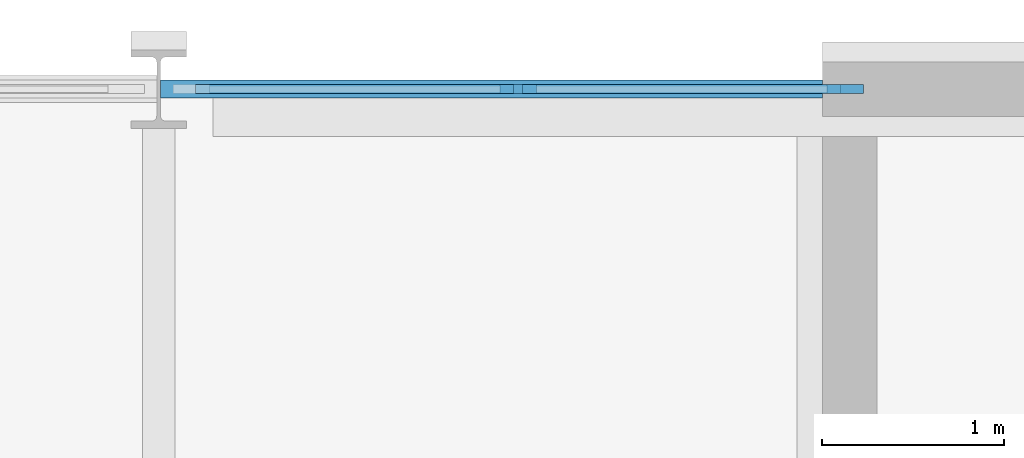
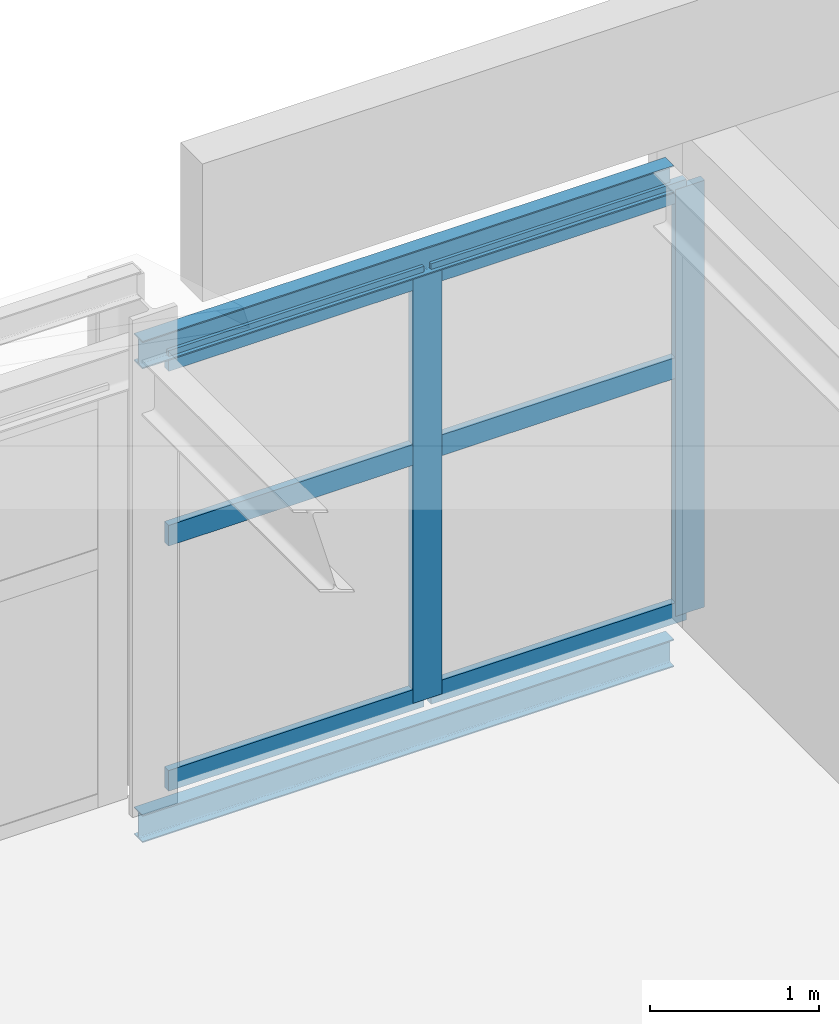
# One storey, part 38 of 68: 8 members, 2 beams, 1 element without a shape of its own.
"""IFC4 building model written with IfcOpenShell, lengths in metres."""

from ifc_helpers import new_model, si_unit, direction, frame, origin, origin_2d, place, context, subcontext, project, spatial, rectangle, i_section, extrude, material, material_profile, profile_set, type_object, element, aggregate, save


model = new_model("IFC4")

# Units and contexts
model_context = context("Model", 3, precision=1e-05, world=origin(), true_north=direction((0.0, 1.0)))
body_context = subcontext(model_context, "Body", "Model", "MODEL_VIEW")
ifc_project = project(units=[si_unit("LENGTHUNIT", "METRE"), si_unit("AREAUNIT", "SQUARE_METRE"), si_unit("VOLUMEUNIT", "CUBIC_METRE"), si_unit("PLANEANGLEUNIT", "RADIAN"), si_unit("MASSUNIT", "GRAM", prefix="KILO")], contexts=[model_context])

# Site, building, storey
site_placement = place(None, origin())
site = spatial("IfcSite", under=ifc_project, at=site_placement, CompositionType="ELEMENT")
building_placement = place(site_placement, origin())
building = spatial("IfcBuilding", under=site, at=building_placement, Name="Kupolbacken Congress Centre", CompositionType="ELEMENT")
storey_placement = place(building_placement, frame((0.0, 0.0, 25.199951171875)))
storey = spatial("IfcBuildingStorey", under=building, at=storey_placement, Name="L07", CompositionType="ELEMENT", Elevation=25.199951171875)

# Beams
ifc_material_1 = material(Name="Steel S355", Category="steel")
ifc_material_profile_1 = material_profile(ifc_material_1, i_section(OverallWidth=0.10009765625, OverallDepth=0.199951171875, WebThickness=0.005615234375, FlangeThickness=0.008544921875, FilletRadius=0.011962890625, at=origin_2d()), Name="IPE 200")
ifc_profile_set_1 = profile_set([ifc_material_profile_1], Name="Steel S355")
beam_type = type_object("IfcBeamType", Name="B01 beam IPE 200", PredefinedType="BEAM", material=ifc_profile_set_1)
for number, where, z_axis, x_axis, name in (
    (1, (129.610595703125, 144.0, -0.239990234375), (1.0, 0.0, 0.0), (0.0, 1.0, 0.0), "S/floor/T/L07/R032"),
    (2, (129.610595703125, 144.0, 3.18994140625), (1.0, 0.0, 0.0), (0.0, 1.0, 0.0), "S/floor/T/ROOF/R032"),
):
    element("IfcBeam", number, at=place(storey_placement, frame(where, z_axis=z_axis, x_axis=x_axis)), inside=storey, type_object=beam_type, Name=name, PredefinedType="BEAM", context=body_context, shape_type="SweptSolid", body=[
        extrude(i_section(OverallWidth=0.10009765625, OverallDepth=0.199951171875, WebThickness=0.005615234375, FlangeThickness=0.008544921875, FilletRadius=0.011962890625, at=origin_2d()), origin(), (0.0, 0.0, 1.0), 3.639404296875),
    ])

# Curtain wall, members
ifc_material_2 = material(Name="Aluminium mullion-transom frame with glass", Category="aluminium")
curtain_wall_type = type_object("IfcCurtainWallType", Name="CW1 curtain wall 7200x3600", PredefinedType="NOTDEFINED", material=ifc_material_2)
curtain_wall_placement = place(storey_placement, origin())
curtain_wall = element("IfcCurtainWall", 3, at=curtain_wall_placement, inside=storey, type_object=curtain_wall_type, Name="E/T/N/L07/103/g0", PredefinedType="NOTDEFINED")
ifc_material_3 = material(Name="Aluminium alloy", Category="aluminium")
ifc_material_profile_2 = material_profile(ifc_material_3, rectangle(XDim=0.050048828125, YDim=0.199951171875, at=origin_2d()), Name="50 x 200")
ifc_profile_set_2 = profile_set([ifc_material_profile_2], Name="Aluminium alloy")
member_type_1 = type_object("IfcMemberType", Name="MU2 mullion 50x200", PredefinedType="MULLION", material=ifc_profile_set_2)
member_1_placement = place(storey_placement, frame((133.375, 144.0, 0.0), z_axis=(0.0, 0.0, 1.0), x_axis=(0.0, -1.0, 0.0)))
member_1 = element("IfcMember", 4, at=member_1_placement, type_object=member_type_1, Name="CW1 mullion 1", PredefinedType="MULLION", context=body_context, shape_type="SweptSolid", body=[
    extrude(rectangle(XDim=0.050048828125, YDim=0.199951171875, at=origin_2d()), origin(), (0.0, 0.0, 1.0), 3.090087890625),
])
member_2_placement = place(storey_placement, frame((131.57666015625, 144.0, 0.0), z_axis=(0.0, 0.0, 1.0), x_axis=(0.0, -1.0, 0.0)))
member_2 = element("IfcMember", 5, at=member_2_placement, type_object=member_type_1, Name="CW1 mullion 2", PredefinedType="MULLION", context=body_context, shape_type="SweptSolid", body=[
    extrude(rectangle(XDim=0.050048828125, YDim=0.199951171875, at=origin_2d()), origin(), (0.0, 0.0, 1.0), 3.090087890625),
])
ifc_material_4 = material(Name="Aluminium alloy", Category="aluminium")
ifc_material_profile_3 = material_profile(ifc_material_4, rectangle(XDim=0.050048828125, YDim=0.14990234375, at=origin_2d()), Name="50 x 150")
ifc_profile_set_3 = profile_set([ifc_material_profile_3], Name="Aluminium alloy")
member_type_2 = type_object("IfcMemberType", Name="TR2 transom 50x150", PredefinedType="MULLION", material=ifc_profile_set_3)
member_3_placement = place(storey_placement, frame((133.35009765625, 144.0, 0.025146484375), z_axis=(-1.0, 0.0, 0.0), x_axis=(0.0, -1.0, 0.0)))
member_3 = element("IfcMember", 6, at=member_3_placement, type_object=member_type_2, Name="CW1 transom 1.1", PredefinedType="MULLION", context=body_context, shape_type="SweptSolid", body=[
    extrude(rectangle(XDim=0.050048828125, YDim=0.14990234375, at=origin_2d()), origin(), (0.0, 0.0, 1.0), 1.748291015625),
])
member_4_placement = place(storey_placement, frame((133.35009765625, 144.0, 1.800048828125), z_axis=(-1.0, 0.0, 0.0), x_axis=(0.0, -1.0, 0.0)))
member_4 = element("IfcMember", 7, at=member_4_placement, type_object=member_type_2, Name="CW1 transom 1.2", PredefinedType="MULLION", context=body_context, shape_type="SweptSolid", body=[
    extrude(rectangle(XDim=0.050048828125, YDim=0.14990234375, at=origin_2d()), origin(), (0.0, 0.0, 1.0), 1.748291015625),
])
member_5_placement = place(storey_placement, frame((133.35009765625, 144.0, 3.06494140625), z_axis=(-1.0, 0.0, 0.0), x_axis=(0.0, -1.0, 0.0)))
member_5 = element("IfcMember", 8, at=member_5_placement, type_object=member_type_2, Name="CW1 transom 1.3", PredefinedType="MULLION", context=body_context, shape_type="SweptSolid", body=[
    extrude(rectangle(XDim=0.050048828125, YDim=0.14990234375, at=origin_2d()), origin(), (0.0, 0.0, 1.0), 1.748291015625),
])
member_6_placement = place(storey_placement, frame((131.5517578125, 144.0, 0.025146484375), z_axis=(-1.0, 0.0, 0.0), x_axis=(0.0, -1.0, 0.0)))
member_6 = element("IfcMember", 9, at=member_6_placement, type_object=member_type_2, Name="CW1 transom 2.1", PredefinedType="MULLION", context=body_context, shape_type="SweptSolid", body=[
    extrude(rectangle(XDim=0.050048828125, YDim=0.14990234375, at=origin_2d()), origin(), (0.0, 0.0, 1.0), 1.748291015625),
])
member_7_placement = place(storey_placement, frame((131.5517578125, 144.0, 1.800048828125), z_axis=(-1.0, 0.0, 0.0), x_axis=(0.0, -1.0, 0.0)))
member_7 = element("IfcMember", 10, at=member_7_placement, type_object=member_type_2, Name="CW1 transom 2.2", PredefinedType="MULLION", context=body_context, shape_type="SweptSolid", body=[
    extrude(rectangle(XDim=0.050048828125, YDim=0.14990234375, at=origin_2d()), origin(), (0.0, 0.0, 1.0), 1.748291015625),
])
member_8_placement = place(storey_placement, frame((131.5517578125, 144.0, 3.06494140625), z_axis=(-1.0, 0.0, 0.0), x_axis=(0.0, -1.0, 0.0)))
member_8 = element("IfcMember", 11, at=member_8_placement, type_object=member_type_2, Name="CW1 transom 2.3", PredefinedType="MULLION", context=body_context, shape_type="SweptSolid", body=[
    extrude(rectangle(XDim=0.050048828125, YDim=0.14990234375, at=origin_2d()), origin(), (0.0, 0.0, 1.0), 1.748291015625),
])
aggregate(curtain_wall, [member_1, member_2, member_3, member_4, member_5, member_6, member_7, member_8])

save(model, "model.ifc")
